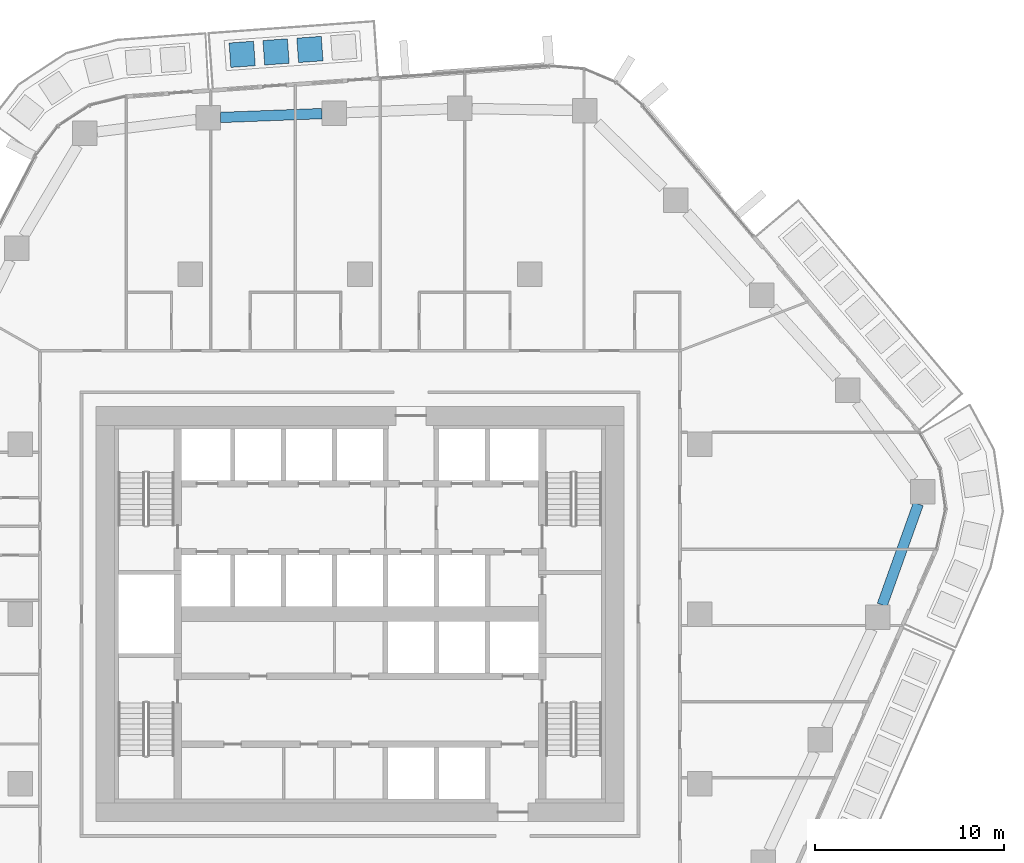
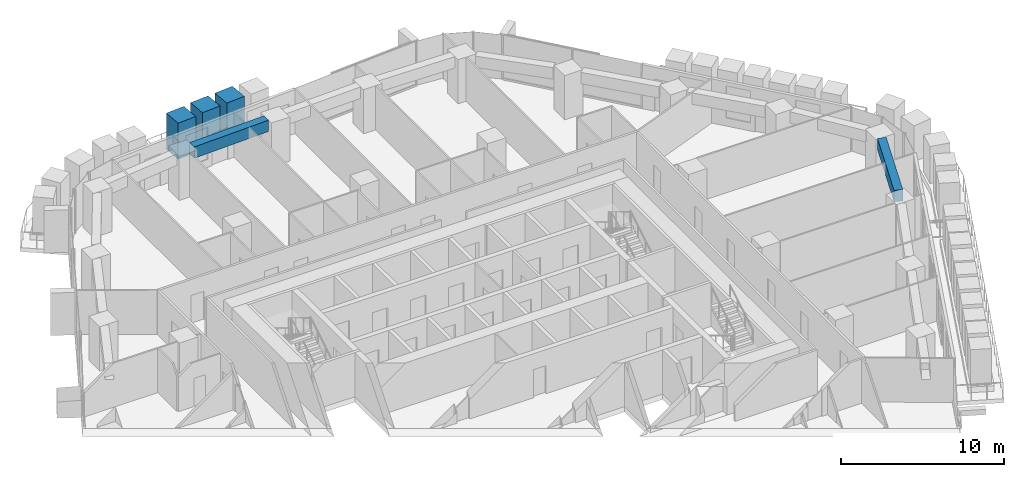
# One storey, part 7 of 24: 3 members, 2 beams.
"""IFC4 building model written with IfcOpenShell, lengths in metres."""

from ifc_helpers import new_model, si_unit, direction, frame, origin, origin_2d, place, context, subcontext, project, spatial, rectangle, extrude, material, material_profile, profile_set, type_object, element, save


model = new_model("IFC4")

# Units and contexts
model_context = context("Model", 3, precision=1e-05, world=origin(), true_north=direction((0.0, 1.0)))
body_context = subcontext(model_context, "Body", "Model", "MODEL_VIEW")
ifc_project = project(units=[si_unit("LENGTHUNIT", "METRE"), si_unit("AREAUNIT", "SQUARE_METRE"), si_unit("VOLUMEUNIT", "CUBIC_METRE"), si_unit("PLANEANGLEUNIT", "RADIAN"), si_unit("MASSUNIT", "GRAM", prefix="KILO")], contexts=[model_context])

# Site, building, storey
site_placement = place(None, origin())
site = spatial("IfcSite", under=ifc_project, at=site_placement, CompositionType="ELEMENT")
building_placement = place(site_placement, origin())
building = spatial("IfcBuilding", under=site, at=building_placement, Name="Dongbaek Canopy Tower", CompositionType="ELEMENT")
storey_placement = place(building_placement, frame((0.0, 0.0, 110.0)))
storey = spatial("IfcBuildingStorey", under=building, at=storey_placement, Name="L23", CompositionType="ELEMENT", Elevation=110.0)

# Beams
ifc_material_1 = material(Name="Concrete C80", Category="concrete")
ifc_material_profile_1 = material_profile(ifc_material_1, rectangle(XDim=0.550048828125, YDim=0.85009765625, at=origin_2d()), Name="RC EDGE BEAM 550x850 C80")
ifc_profile_set_1 = profile_set([ifc_material_profile_1], Name="Concrete C80")
beam_type = type_object("IfcBeamType", Name="RC EDGE BEAM 550x850 C80", PredefinedType="BEAM", material=ifc_profile_set_1)
beam_1_placement = place(storey_placement, frame((-7.39111328125, 26.31298828125, 2.875), z_axis=(0.999264392696, 0.038349361015, 0.0), x_axis=(-0.038349361015, 0.999264392696, 0.0)))
element("IfcBeam", 1, at=beam_1_placement, inside=storey, type_object=beam_type, Name="EDGEBEAM:L23:14", PredefinedType="BEAM", context=body_context, shape_type="SweptSolid", body=[
    extrude(rectangle(XDim=0.550048828125, YDim=0.85009765625, at=origin_2d()), origin(), (0.0, 0.0, 1.0), 5.373046875),
])
beam_2_placement = place(storey_placement, frame((29.578857421875, 5.83203125, 2.875), z_axis=(-0.33649709705, -0.941684503258, 0.0), x_axis=(0.941684503258, -0.33649709705, 0.0)))
element("IfcBeam", 2, at=beam_2_placement, inside=storey, type_object=beam_type, Name="EDGEBEAM:L23:21", PredefinedType="BEAM", context=body_context, shape_type="SweptSolid", body=[
    extrude(rectangle(XDim=0.550048828125, YDim=0.85009765625, at=origin_2d()), origin(), (0.0, 0.0, 1.0), 5.677978515625),
])

# Members
ifc_material_2 = material(Name="Concrete C40/50 planter mass with planting", Category="concrete")
ifc_material_profile_2 = material_profile(ifc_material_2, rectangle(XDim=1.300048828125, YDim=1.300048828125, at=origin_2d()), Name="Terrace PLANTER shrub mass 1300 x 1300")
ifc_profile_set_2 = profile_set([ifc_material_profile_2], Name="Concrete C40/50 planter mass with planting")
member_type = type_object("IfcMemberType", Name="Terrace PLANTER shrub mass 1300 x 1300", PredefinedType="USERDEFINED", material=ifc_profile_set_2)
member_1_placement = place(storey_placement, frame((-2.654541015625, 29.916015625, 0.419921875), z_axis=(0.0, 0.0, 1.0), x_axis=(-0.071742796309, 0.997423165551, 0.0)))
element("IfcMember", 3, at=member_1_placement, inside=storey, type_object=member_type, Name="Planter shrubs L23 2.2", ObjectType="PLANTER", PredefinedType="USERDEFINED", context=body_context, shape_type="SweptSolid", body=[
    extrude(rectangle(XDim=1.300048828125, YDim=1.300048828125, at=origin_2d()), origin(), (0.0, 0.0, 1.0), 2.780029296875),
])
member_2_placement = place(storey_placement, frame((-4.44873046875, 29.787109375, 0.419921875), z_axis=(0.0, 0.0, 1.0), x_axis=(-0.071742796309, 0.997423165551, 0.0)))
element("IfcMember", 4, at=member_2_placement, inside=storey, type_object=member_type, Name="Planter shrubs L23 2.3", ObjectType="PLANTER", PredefinedType="USERDEFINED", context=body_context, shape_type="SweptSolid", body=[
    extrude(rectangle(XDim=1.300048828125, YDim=1.300048828125, at=origin_2d()), origin(), (0.0, 0.0, 1.0), 2.77001953125),
])
member_3_placement = place(storey_placement, frame((-6.242919921875, 29.657958984375, 0.419921875), z_axis=(0.0, 0.0, 1.0), x_axis=(-0.071742796309, 0.997423165551, 0.0)))
element("IfcMember", 5, at=member_3_placement, inside=storey, type_object=member_type, Name="Planter shrubs L23 2.4", ObjectType="PLANTER", PredefinedType="USERDEFINED", context=body_context, shape_type="SweptSolid", body=[
    extrude(rectangle(XDim=1.300048828125, YDim=1.300048828125, at=origin_2d()), origin(), (0.0, 0.0, 1.0), 2.690185546875),
])

save(model, "model.ifc")
